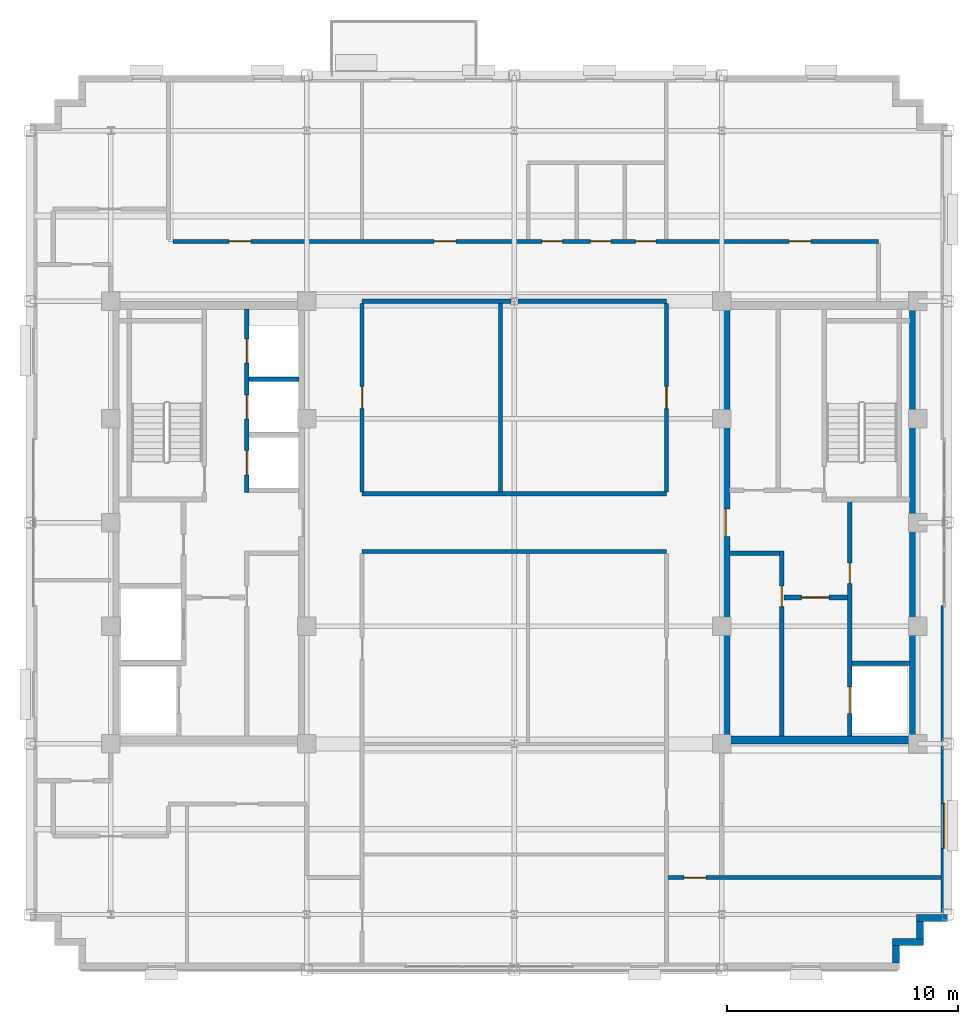
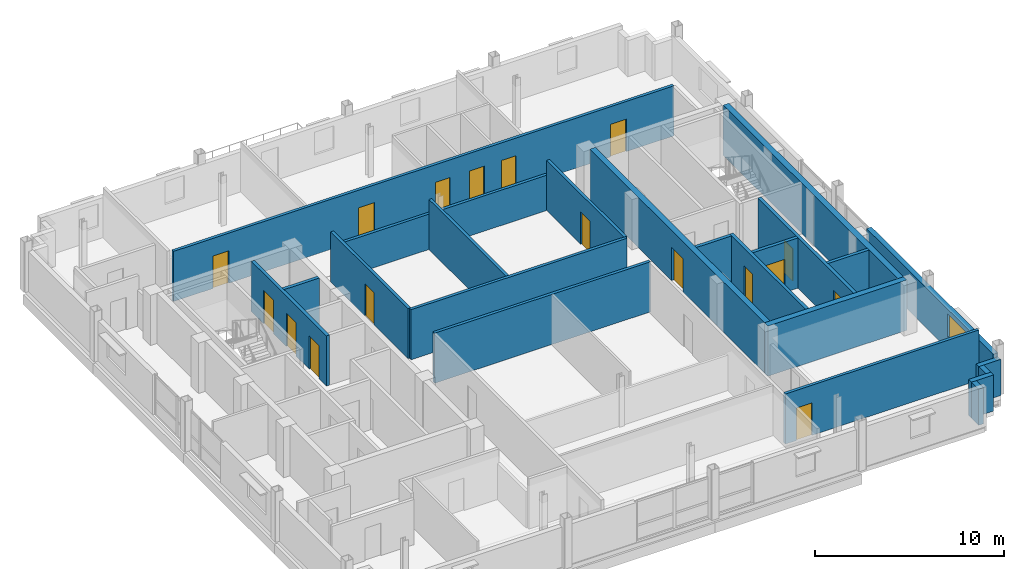
# One storey, part 7 of 16: 24 walls, 17 doors, 1 window, 18 openings.
"""IFC4 building model written with IfcOpenShell, lengths in metres."""

import ifcopenshell
import ifcopenshell.guid

model = None  # the IFC model being written
_history = None  # IfcOwnerHistory: only IFC2X3 demands one
_inside = {}  # id of a spatial element -> (the spatial element, [elements in it])
_under = {}  # id of a project, library or spatial element -> (it, [spatial elements below it])
_declared = {}  # id of a project -> (the project, [libraries it declares])
_typed = {}  # id of a type object -> (the type object, [elements of that type])
_made_of = {}  # id of a material, layer set ... -> (it, [elements and type objects made of it])


def new_model(schema):
    """Start an empty IFC model of exactly this schema.

    Asked for "IFC4X3", IfcOpenShell would pick the latest addendum, in which some entities
    have other attributes; the version numbers below select the first issue.
    IFC2X3 requires an IfcOwnerHistory on every rooted entity: one is made here for all.
    """
    global model, _history
    if schema == "IFC4X3":
        model = ifcopenshell.file(schema_version=(4, 3, 0, 0))
    else:
        model = ifcopenshell.file(schema=schema)
    _inside.clear()
    _under.clear()
    _declared.clear()
    _typed.clear()
    _made_of.clear()
    _history = None
    if model.schema == "IFC2X3":
        org = make("IfcOrganization", Name="unknown")
        user = make(
            "IfcPersonAndOrganization",
            ThePerson=make("IfcPerson", FamilyName="unknown"),
            TheOrganization=org,
        )
        app = make(
            "IfcApplication",
            ApplicationDeveloper=org,
            Version="unknown",
            ApplicationFullName="unknown",
            ApplicationIdentifier="unknown",
        )
        _history = make(
            "IfcOwnerHistory",
            OwningUser=user,
            OwningApplication=app,
            ChangeAction="ADDED",
            CreationDate=0,
        )
    return model


def make(cls, **values):
    """One entity of the class cls with the attributes given. An attribute that is None is left unset."""
    return model.create_entity(
        cls, **{name: value for name, value in values.items() if value is not None}
    )


def rooted(cls, **values):
    """An entity with a GlobalId (a new one), such as an element, a storey or a relation."""
    return make(cls, GlobalId=ifcopenshell.guid.new(), OwnerHistory=_history, **values)


def si_unit(unit_type, name, prefix=None):
    """IfcSIUnit, for example si_unit("LENGTHUNIT", "METRE", prefix="MILLI")."""
    return make("IfcSIUnit", UnitType=unit_type, Prefix=prefix, Name=name)


def assignment(units):
    """IfcUnitAssignment: the units of a project."""
    return None if units is None else make("IfcUnitAssignment", Units=units)


def point(xyz):
    """IfcCartesianPoint."""
    return None if xyz is None else make("IfcCartesianPoint", Coordinates=xyz)


def direction(xyz):
    """IfcDirection."""
    return None if xyz is None else make("IfcDirection", DirectionRatios=xyz)


def frame(location, z_axis=None, x_axis=None):
    """IfcAxis2Placement3D, a coordinate frame: its origin and axes. An axis left out is left unset."""
    return make(
        "IfcAxis2Placement3D",
        Location=point(location),
        Axis=direction(z_axis),
        RefDirection=direction(x_axis),
    )


def frame_2d(location, x_axis=None):
    """IfcAxis2Placement2D, a coordinate frame in the plane: its origin and x axis."""
    return make(
        "IfcAxis2Placement2D", Location=point(location), RefDirection=direction(x_axis)
    )


def origin():
    """The frame at (0, 0, 0) with its axes left unset."""
    return frame((0.0, 0.0, 0.0))


def place(relative_to, where):
    """IfcLocalPlacement: puts the frame where relative to a parent placement (None: the world)."""
    return make(
        "IfcLocalPlacement", PlacementRelTo=relative_to, RelativePlacement=where
    )


def context(
    kind, dimensions, precision=None, world=None, true_north=None, identifier=None
):
    """IfcGeometricRepresentationContext, for example the 3D "Model" context."""
    return make(
        "IfcGeometricRepresentationContext",
        ContextIdentifier=identifier,
        ContextType=kind,
        CoordinateSpaceDimension=dimensions,
        Precision=precision,
        WorldCoordinateSystem=world,
        TrueNorth=true_north,
    )


def subcontext(parent, identifier, kind, view, scale=None):
    """IfcGeometricRepresentationSubContext, for example "Body" below "Model"."""
    return make(
        "IfcGeometricRepresentationSubContext",
        ContextIdentifier=identifier,
        ContextType=kind,
        ParentContext=parent,
        TargetScale=scale,
        TargetView=view,
    )


def project(units=None, contexts=None):
    """IfcProject with its units and contexts."""
    return rooted(
        "IfcProject",
        Name="project",
        RepresentationContexts=contexts,
        UnitsInContext=assignment(units),
    )


def spatial(cls, under=None, at=None, **own):
    """A site, building, storey or space (cls), placed at a placement, below another one or the project."""
    s = rooted(cls, ObjectPlacement=at, **own)
    if under is not None:
        _under.setdefault(under.id(), (under, []))[1].append(s)
    return s


def profile(cls, at=None, kind="AREA", **sizes):
    """A parametric profile (cls). Its sizes go by their IFC names, for example OverallWidth=200.0."""
    return make(cls, ProfileType=kind, Position=at, **sizes)


def rectangle(**sizes):
    """IfcRectangleProfileDef."""
    return profile("IfcRectangleProfileDef", **sizes)


def extrude(swept, where, along, depth):
    """IfcExtrudedAreaSolid: the profile swept, set in the frame where, extruded along a direction by depth."""
    return make(
        "IfcExtrudedAreaSolid",
        SweptArea=swept,
        Position=where,
        ExtrudedDirection=direction(along),
        Depth=depth,
    )


def shape(context_of_items, identifier, shape_type, items):
    """IfcShapeRepresentation: the items that make up one representation, for example the "Body"."""
    return make(
        "IfcShapeRepresentation",
        ContextOfItems=context_of_items,
        RepresentationIdentifier=identifier,
        RepresentationType=shape_type,
        Items=items,
    )


def source(mapping_origin, context_of_items, identifier, shape_type, items):
    """IfcRepresentationMap: a shape defined once, which mapped items show again and again."""
    return make(
        "IfcRepresentationMap",
        MappingOrigin=mapping_origin,
        MappedRepresentation=shape(context_of_items, identifier, shape_type, items),
    )


def transform(
    local_origin,
    x_axis=None,
    y_axis=None,
    z_axis=None,
    scale=None,
    scale2=None,
    scale3=None,
    uniform=True,
):
    """IfcCartesianTransformationOperator3D, or its non-uniform kind. x_axis, y_axis, z_axis: its Axis1, 2, 3."""
    if uniform:
        return make(
            "IfcCartesianTransformationOperator3D",
            Axis1=direction(x_axis),
            Axis2=direction(y_axis),
            LocalOrigin=point(local_origin),
            Scale=scale,
            Axis3=direction(z_axis),
        )
    return make(
        "IfcCartesianTransformationOperator3DnonUniform",
        Axis1=direction(x_axis),
        Axis2=direction(y_axis),
        LocalOrigin=point(local_origin),
        Scale=scale,
        Axis3=direction(z_axis),
        Scale2=scale2,
        Scale3=scale3,
    )


def mapped(mapping_source, mapping_target):
    """IfcMappedItem: shows the shape of a source again, moved by a transform."""
    return make(
        "IfcMappedItem", MappingSource=mapping_source, MappingTarget=mapping_target
    )


def material(Name=None, Category=None):
    """IfcMaterial."""
    return make("IfcMaterial", Name=Name, Category=Category)


def layer(
    of_material, thickness, ventilated=None, Name=None, Category=None, Priority=None
):
    """IfcMaterialLayer: one layer of a wall or slab, of a material (None: an air gap)."""
    return make(
        "IfcMaterialLayer",
        Material=of_material,
        LayerThickness=thickness,
        IsVentilated=ventilated,
        Name=Name,
        Category=Category,
        Priority=Priority,
    )


def layer_set(layers, Name=None):
    """IfcMaterialLayerSet."""
    return make("IfcMaterialLayerSet", MaterialLayers=layers, LayerSetName=Name)


def made_of(thing, what):
    """Note that an element or type object is made of a material, layer set ...; save() writes the relation."""
    if what is not None:
        _made_of.setdefault(what.id(), (what, []))[1].append(thing)
    return thing


def type_object(cls, material=None, **own):
    """A type object (cls), such as IfcWallType, which elements share."""
    return made_of(rooted(cls, **own), material)


def type_shapes(of_type, sources):
    """Give a type object the sources (RepresentationMaps) that its elements show as mapped items."""
    of_type.RepresentationMaps = sources


def element(
    cls,
    number,
    at=None,
    inside=None,
    cuts=None,
    type_object=None,
    material=None,
    context=None,
    identifier="Body",
    shape_type=None,
    held_by="IfcProductDefinitionShape",
    body=None,
    shapes=None,
    **own,
):
    """One element of the class cls, such as IfcWall. Its Tag is "e" and its number.

    at: its placement. inside: the storey or other place that contains it. cuts: it is an
    opening in that element (IfcRelVoidsElement). A single representation is given by context,
    identifier, shape_type and body (its items); several are given by shapes. held_by: the class
    of the entity that holds the representations. save() writes the other relations.
    """
    e = rooted(cls, Tag="e%d" % number, ObjectPlacement=at, **own)
    if body is not None:
        shapes = [shape(context, identifier, shape_type, body)]
    if shapes is not None:
        e.Representation = make(held_by, Representations=shapes)
    if inside is not None:
        _inside.setdefault(inside.id(), (inside, []))[1].append(e)
    if cuts is not None:
        rooted(
            "IfcRelVoidsElement", RelatingBuildingElement=cuts, RelatedOpeningElement=e
        )
    if type_object is not None:
        _typed.setdefault(type_object.id(), (type_object, []))[1].append(e)
    return made_of(e, material)


def fill(opening, filler):
    """IfcRelFillsElement: the door or window that sits in an opening."""
    return rooted(
        "IfcRelFillsElement",
        RelatingOpeningElement=opening,
        RelatedBuildingElement=filler,
    )


def aggregate(whole, parts):
    """IfcRelAggregates: a whole, such as a stair, and the parts it consists of."""
    return rooted("IfcRelAggregates", RelatingObject=whole, RelatedObjects=parts)


def save(model, path):
    """Write the relations noted so far, then the file.

    IfcRelAggregates (storeys below a building ...), IfcRelContainedInSpatialStructure (elements
    in a storey), IfcRelDefinesByType, IfcRelAssociatesMaterial and IfcRelDeclares: one each for
    every whole, place, type object, material and project.
    """
    for whole, parts in _under.values():
        aggregate(whole, parts)
    for where, things in _inside.values():
        rooted(
            "IfcRelContainedInSpatialStructure",
            RelatedElements=things,
            RelatingStructure=where,
        )
    for kind, things in _typed.values():
        rooted("IfcRelDefinesByType", RelatedObjects=things, RelatingType=kind)
    for what, things in _made_of.values():
        rooted("IfcRelAssociatesMaterial", RelatedObjects=things, RelatingMaterial=what)
    for by, libraries in _declared.values():
        rooted("IfcRelDeclares", RelatingContext=by, RelatedDefinitions=libraries)
    model.write(path)


model = new_model("IFC4")

# Units and contexts
model_context = context("Model", 3, precision=1e-05, world=origin(), true_north=direction((0.0, 1.0)))
body_context = subcontext(model_context, "Body", "Model", "MODEL_VIEW")
ifc_project = project(units=[si_unit("LENGTHUNIT", "METRE"), si_unit("AREAUNIT", "SQUARE_METRE"), si_unit("VOLUMEUNIT", "CUBIC_METRE"), si_unit("PLANEANGLEUNIT", "RADIAN"), si_unit("MASSUNIT", "GRAM", prefix="KILO")], contexts=[model_context])

# Site, building, storey
site_placement = place(None, origin())
site = spatial("IfcSite", under=ifc_project, at=site_placement, CompositionType="ELEMENT")
building_placement = place(site_placement, origin())
building = spatial("IfcBuilding", under=site, at=building_placement, Name="Nuvemarco Arch Tower", CompositionType="ELEMENT")
storey_placement = place(building_placement, frame((0.0, 0.0, 249.300048828125)))
storey = spatial("IfcBuildingStorey", under=building, at=storey_placement, Name="L66", CompositionType="ELEMENT", Elevation=249.300048828125)

# Walls
ifc_material_1 = material(Name="Precast concrete C45/55", Category="concrete")
ifc_layer_1 = layer(ifc_material_1, 0.300048828125, Name="EW-HIGH-300")
ifc_layer_set_1 = layer_set([ifc_layer_1], Name="Precast concrete C45/55")
wall_type_1 = type_object("IfcWallType", Name="EW-HIGH-300", PredefinedType="STANDARD", material=ifc_layer_set_1)
wall_1_placement = place(storey_placement, frame((16.550048828125, -19.10400390625, 0.0), z_axis=(0.0, 0.0, 1.0), x_axis=(0.0, 1.0, 0.0)))
element("IfcWall", 1, at=wall_1_placement, inside=storey, type_object=wall_type_1, Name="L66 exterior precast facade wall 2", PredefinedType="STANDARD", context=body_context, shape_type="SweptSolid", body=[
    extrude(rectangle(XDim=0.758056640625, YDim=0.300048828125, at=frame_2d((0.37890625, 0.0))), origin(), (0.0, 0.0, 1.0), 2.3349609375),
])
wall_2_placement = place(storey_placement, frame((16.39990234375, -18.199951171875, 0.0), z_axis=(0.0, 0.0, 1.0), x_axis=(1.0, 0.0, 0.0)))
element("IfcWall", 2, at=wall_2_placement, inside=storey, type_object=wall_type_1, Name="L66 exterior precast facade wall 3", PredefinedType="STANDARD", context=body_context, shape_type="SweptSolid", body=[
    extrude(rectangle(XDim=1.35009765625, YDim=0.300048828125, at=frame_2d((0.675048828125, 0.0))), origin(), (0.0, 0.0, 1.0), 2.3349609375),
])
wall_3_placement = place(storey_placement, frame((17.60009765625, -18.053955078125, 0.0), z_axis=(0.0, 0.0, 1.0), x_axis=(0.0, 1.0, 0.0)))
element("IfcWall", 3, at=wall_3_placement, inside=storey, type_object=wall_type_1, Name="L66 exterior precast facade wall 4", PredefinedType="STANDARD", context=body_context, shape_type="SweptSolid", body=[
    extrude(rectangle(XDim=0.758056640625, YDim=0.300048828125, at=frame_2d((0.37890625, 0.0))), origin(), (0.0, 0.0, 1.0), 2.3349609375),
])
wall_4_placement = place(storey_placement, frame((17.449951171875, -17.14990234375, 0.0), z_axis=(0.0, 0.0, 1.0), x_axis=(1.0, 0.0, 0.0)))
element("IfcWall", 4, at=wall_4_placement, inside=storey, type_object=wall_type_1, Name="L66 exterior precast facade wall 5", PredefinedType="STANDARD", context=body_context, shape_type="SweptSolid", body=[
    extrude(rectangle(XDim=1.35009765625, YDim=0.300048828125, at=frame_2d((0.675048828125, 0.0))), origin(), (0.0, 0.0, 1.0), 2.3349609375),
])

# Wall, opening, window
wall_5_placement = place(storey_placement, frame((18.64990234375, -17.00390625, 0.0), z_axis=(0.0, 0.0, 1.0), x_axis=(0.0, 1.0, 0.0)))
wall_5 = element("IfcWall", 5, at=wall_5_placement, inside=storey, type_object=wall_type_1, Name="L66 exterior precast pier wall east left", PredefinedType="STANDARD", context=body_context, shape_type="SweptSolid", body=[
    extrude(rectangle(XDim=13.40380859375, YDim=0.300048828125, at=frame_2d((6.701904296875, 0.0))), origin(), (0.0, 0.0, 1.0), 2.5849609375),
])
opening_1_placement = place(wall_5_placement, frame((2.8759765625, 0.0, 0.800048828125)))
opening_1 = element("IfcOpeningElement", 6, at=opening_1_placement, cuts=wall_5, Name="Opening WN-7", PredefinedType="OPENING", context=body_context, shape_type="SweptSolid", body=[
    extrude(rectangle(XDim=1.949951171875, YDim=1.47998046875, at=frame_2d((0.97509765625, 0.739990234375))), frame((0.0, 0.159912109375, 0.0), z_axis=(0.0, -1.0, 0.0), x_axis=(1.0, 0.0, 0.0)), (0.0, 0.0, 1.0), 0.320068359375),
])
ifc_material_2 = material(Name="Insulated solar-control glass", Category="glass")
window_type = type_object("IfcWindowType", Name="WN-HIGH-1950x1480", PartitioningType="DOUBLE_PANEL_VERTICAL", PredefinedType="WINDOW", material=ifc_material_2)
shared_shape_1 = source(origin(), body_context, "Body", "SweptSolid", [
    extrude(rectangle(XDim=1.949951171875, YDim=1.47998046875, at=frame_2d((0.97509765625, 0.739990234375))), frame((0.0, 0.030029296875, 0.0), z_axis=(0.0, -1.0, 0.0), x_axis=(1.0, 0.0, 0.0)), (0.0, 0.0, 1.0), 0.06005859375),
])
type_shapes(window_type, [shared_shape_1])
window_placement = place(opening_1_placement, origin())
window = element("IfcWindow", 7, at=window_placement, inside=storey, type_object=window_type, Name="L66 punched facade window 1", OverallHeight=1.47998046875, OverallWidth=1.949951171875, PartitioningType="SINGLE_PANEL", PredefinedType="WINDOW", context=body_context, shape_type="MappedRepresentation", body=[
    mapped(shared_shape_1, transform((0.0, 0.0, 0.0), scale=1.0)),
])
fill(opening_1, window)

# Wall
ifc_material_3 = material(Name="Concrete C50/60", Category="concrete")
ifc_layer_2 = layer(ifc_material_3, 0.35009765625, Name="WL-CORE-350")
ifc_layer_set_2 = layer_set([ifc_layer_2], Name="Concrete C50/60")
wall_type_2 = type_object("IfcWallType", Name="WL-CORE-350", PredefinedType="SHEAR", material=ifc_layer_set_2)
wall_6_placement = place(storey_placement, frame((9.0, -9.425048828125, 0.0), z_axis=(0.0, 0.0, 1.0), x_axis=(1.0, 0.0, 0.0)))
element("IfcWall", 8, at=wall_6_placement, inside=storey, type_object=wall_type_2, Name="L66 E-core shear wall S", PredefinedType="SHEAR", context=body_context, shape_type="SweptSolid", body=[
    extrude(rectangle(XDim=8.5, YDim=0.35009765625, at=frame_2d((4.25, 0.0))), origin(), (0.0, 0.0, 1.0), 3.25),
])

# Wall, opening, door
wall_7_placement = place(storey_placement, frame((9.175048828125, -9.2548828125, 0.0), z_axis=(0.0, 0.0, 1.0), x_axis=(0.0, 1.0, 0.0)))
wall_7 = element("IfcWall", 9, at=wall_7_placement, inside=storey, type_object=wall_type_2, Name="L66 E-core shear wall W", PredefinedType="SHEAR", context=body_context, shape_type="SweptSolid", body=[
    extrude(rectangle(XDim=18.509765625, YDim=0.35009765625, at=frame_2d((9.2548828125, 0.0))), origin(), (0.0, 0.0, 1.0), 3.25),
])
opening_2_placement = place(wall_7_placement, frame((8.655029296875, 0.0, 0.0)))
opening_2 = element("IfcOpeningElement", 10, at=opening_2_placement, cuts=wall_7, Name="Opening FD-2", PredefinedType="OPENING", context=body_context, shape_type="SweptSolid", body=[
    extrude(rectangle(XDim=1.199951171875, YDim=2.14990234375, at=frame_2d((0.60009765625, 1.074951171875))), frame((0.0, 0.18505859375, 0.0), z_axis=(0.0, -1.0, 0.0), x_axis=(1.0, 0.0, 0.0)), (0.0, 0.0, 1.0), 0.3701171875),
])
ifc_material_4 = material(Name="Anodised steel fire door", Category="steel")
door_type_1 = type_object("IfcDoorType", Name="DR-FFLOB-FD", OperationType="NOTDEFINED", PredefinedType="DOOR", material=ifc_material_4)
shared_shape_2 = source(origin(), body_context, "Body", "SweptSolid", [
    extrude(rectangle(XDim=1.199951171875, YDim=2.14990234375, at=frame_2d((0.60009765625, 1.074951171875))), frame((0.0, 0.02490234375, 0.0), z_axis=(0.0, -1.0, 0.0), x_axis=(1.0, 0.0, 0.0)), (0.0, 0.0, 1.0), 0.050048828125),
])
type_shapes(door_type_1, [shared_shape_2])
door_1_placement = place(opening_2_placement, origin())
door_1 = element("IfcDoor", 11, at=door_1_placement, inside=storey, type_object=door_type_1, Name="L66 door FD-L66-ECORE-W", OperationType="SINGLE_SWING_RIGHT", OverallHeight=2.14990234375, OverallWidth=1.199951171875, PredefinedType="DOOR", context=body_context, shape_type="MappedRepresentation", body=[
    mapped(shared_shape_2, transform((0.0, 0.0, 0.0), scale=1.0)),
])
fill(opening_2, door_1)

# Wall
wall_8_placement = place(storey_placement, frame((17.324951171875, -9.2548828125, 0.0), z_axis=(0.0, 0.0, 1.0), x_axis=(0.0, 1.0, 0.0)))
element("IfcWall", 12, at=wall_8_placement, inside=storey, type_object=wall_type_2, Name="L66 E-core shear wall E", PredefinedType="SHEAR", context=body_context, shape_type="SweptSolid", body=[
    extrude(rectangle(XDim=18.509765625, YDim=0.35009765625, at=frame_2d((9.2548828125, 0.0))), origin(), (0.0, 0.0, 1.0), 3.25),
])

# Wall, opening, door
ifc_material_5 = material(Name="Fire-rated gypsum drywall partition")
ifc_layer_3 = layer(ifc_material_5, 0.179931640625, Name="WL-CORR-180")
ifc_layer_set_3 = layer_set([ifc_layer_3], Name="Fire-rated gypsum drywall partition")
wall_type_3 = type_object("IfcWallType", Name="WL-CORR-180", PredefinedType="PARTITIONING", material=ifc_layer_set_3)
wall_9_placement = place(storey_placement, frame((6.666015625, -15.39990234375, 0.0), z_axis=(0.0, 0.0, 1.0), x_axis=(1.0, 0.0, 0.0)))
wall_9 = element("IfcWall", 13, at=wall_9_placement, inside=storey, type_object=wall_type_3, Name="L66 interior wall IW-L66-002", PredefinedType="PARTITIONING", context=body_context, shape_type="SweptSolid", body=[
    extrude(rectangle(XDim=11.833984375, YDim=0.179931640625, at=frame_2d((5.9169921875, 0.0))), origin(), (0.0, 0.0, 1.0), 3.239990234375),
])
opening_3_placement = place(wall_9_placement, frame((0.68701171875, 0.0, 0.0)))
opening_3 = element("IfcOpeningElement", 14, at=opening_3_placement, cuts=wall_9, Name="Opening FD-5", PredefinedType="OPENING", context=body_context, shape_type="SweptSolid", body=[
    extrude(rectangle(XDim=0.9599609375, YDim=2.10009765625, at=frame_2d((0.47998046875, 1.050048828125))), frame((0.0, 0.099853515625, 0.0), z_axis=(0.0, -1.0, 0.0), x_axis=(1.0, 0.0, 0.0)), (0.0, 0.0, 1.0), 0.199951171875),
])
ifc_material_6 = material(Name="Timber fire door", Category="wood")
door_type_2 = type_object("IfcDoorType", Name="DR-CORR-FD", OperationType="NOTDEFINED", PredefinedType="DOOR", material=ifc_material_6)
shared_shape_3 = source(origin(), body_context, "Body", "SweptSolid", [
    extrude(rectangle(XDim=0.9599609375, YDim=2.10009765625, at=frame_2d((0.47998046875, 1.050048828125))), frame((0.0, 0.02490234375, 0.0), z_axis=(0.0, -1.0, 0.0), x_axis=(1.0, 0.0, 0.0)), (0.0, 0.0, 1.0), 0.050048828125),
])
type_shapes(door_type_2, [shared_shape_3])
door_2_placement = place(opening_3_placement, origin())
door_2 = element("IfcDoor", 15, at=door_2_placement, inside=storey, type_object=door_type_2, Name="L66 door DR-L66-S_6", OperationType="SINGLE_SWING_LEFT", OverallHeight=2.10009765625, OverallWidth=0.9599609375, PredefinedType="DOOR", context=body_context, shape_type="MappedRepresentation", body=[
    mapped(shared_shape_3, transform((0.0, 0.0, 0.0), scale=1.0)),
])
fill(opening_3, door_2)

# Walls
for number, where, z_axis, x_axis, name in (
    (16, (-6.60009765625, -1.25, 0.0), (0.0, 0.0, 1.0), (1.0, 0.0, 0.0), "L66 interior wall IW-L66-010"),
    (17, (-6.60009765625, 1.25, 0.0), (0.0, 0.0, 1.0), (1.0, 0.0, 0.0), "L66 interior wall IW-L66-011"),
):
    element("IfcWall", number, at=place(storey_placement, frame(where, z_axis=z_axis, x_axis=x_axis)), inside=storey, type_object=wall_type_3, Name=name, PredefinedType="PARTITIONING", context=body_context, shape_type="SweptSolid", body=[
        extrude(rectangle(XDim=13.2001953125, YDim=0.179931640625, at=frame_2d((6.60009765625, 0.0))), origin(), (0.0, 0.0, 1.0), 3.239990234375),
    ])
for number, where, z_axis, x_axis, name in (
    (18, (-6.60009765625, 9.60009765625, 0.0), (0.0, 0.0, 1.0), (1.0, 0.0, 0.0), "L66 interior wall IW-L66-012"),
    (19, (0.15087890625, 9.60009765625, 0.0), (0.0, 0.0, 1.0), (1.0, 0.0, 0.0), "L66 interior wall IW-L66-013"),
):
    element("IfcWall", number, at=place(storey_placement, frame(where, z_axis=z_axis, x_axis=x_axis)), inside=storey, type_object=wall_type_3, Name=name, PredefinedType="PARTITIONING", context=body_context, shape_type="SweptSolid", body=[
        extrude(rectangle(XDim=6.44921875, YDim=0.179931640625, at=frame_2d((3.224609375, 0.0))), origin(), (0.0, 0.0, 1.0), 2.284912109375),
    ])

# Wall, openings, doors
wall_10_placement = place(storey_placement, frame((-14.800048828125, 12.199951171875, 0.0), z_axis=(0.0, 0.0, 1.0), x_axis=(1.0, 0.0, 0.0)))
wall_10 = element("IfcWall", 20, at=wall_10_placement, inside=storey, type_object=wall_type_3, Name="L66 interior wall IW-L66-015", PredefinedType="PARTITIONING", context=body_context, shape_type="SweptSolid", body=[
    extrude(rectangle(XDim=30.60009765625, YDim=0.179931640625, at=frame_2d((15.300048828125, 0.0))), origin(), (0.0, 0.0, 1.0), 3.239990234375),
])
opening_4_placement = place(wall_10_placement, frame((11.320068359375, 0.0, 0.0)))
opening_4 = element("IfcOpeningElement", 21, at=opening_4_placement, cuts=wall_10, Name="Opening FD-5", PredefinedType="OPENING", context=body_context, shape_type="SweptSolid", body=[
    extrude(rectangle(XDim=0.9599609375, YDim=2.10009765625, at=frame_2d((0.47998046875, 1.050048828125))), frame((0.0, 0.099853515625, 0.0), z_axis=(0.0, -1.0, 0.0), x_axis=(1.0, 0.0, 0.0)), (0.0, 0.0, 1.0), 0.199951171875),
])
opening_5_placement = place(wall_10_placement, frame((26.719970703125, 0.0, 0.0)))
opening_5 = element("IfcOpeningElement", 22, at=opening_5_placement, cuts=wall_10, Name="Opening FD-5", PredefinedType="OPENING", context=body_context, shape_type="SweptSolid", body=[
    extrude(rectangle(XDim=0.9599609375, YDim=2.10009765625, at=frame_2d((0.47998046875, 1.050048828125))), frame((0.0, 0.099853515625, 0.0), z_axis=(0.0, -1.0, 0.0), x_axis=(1.0, 0.0, 0.0)), (0.0, 0.0, 1.0), 0.199951171875),
])
opening_6_placement = place(wall_10_placement, frame((2.419921875, 0.0, 0.0)))
opening_6 = element("IfcOpeningElement", 23, at=opening_6_placement, cuts=wall_10, Name="Opening FD-5", PredefinedType="OPENING", context=body_context, shape_type="SweptSolid", body=[
    extrude(rectangle(XDim=0.9599609375, YDim=2.10009765625, at=frame_2d((0.47998046875, 1.050048828125))), frame((0.0, 0.099853515625, 0.0), z_axis=(0.0, -1.0, 0.0), x_axis=(1.0, 0.0, 0.0)), (0.0, 0.0, 1.0), 0.199951171875),
])
opening_7_placement = place(wall_10_placement, frame((16.0, 0.0, 0.0)))
opening_7 = element("IfcOpeningElement", 24, at=opening_7_placement, cuts=wall_10, Name="Opening ID-3", PredefinedType="OPENING", context=body_context, shape_type="SweptSolid", body=[
    extrude(rectangle(XDim=0.89990234375, YDim=2.10009765625, at=frame_2d((0.449951171875, 1.050048828125))), frame((0.0, 0.099853515625, 0.0), z_axis=(0.0, -1.0, 0.0), x_axis=(1.0, 0.0, 0.0)), (0.0, 0.0, 1.0), 0.199951171875),
])
opening_8_placement = place(wall_10_placement, frame((18.10009765625, 0.0, 0.0)))
opening_8 = element("IfcOpeningElement", 25, at=opening_8_placement, cuts=wall_10, Name="Opening ID-3", PredefinedType="OPENING", context=body_context, shape_type="SweptSolid", body=[
    extrude(rectangle(XDim=0.89990234375, YDim=2.10009765625, at=frame_2d((0.449951171875, 1.050048828125))), frame((0.0, 0.099853515625, 0.0), z_axis=(0.0, -1.0, 0.0), x_axis=(1.0, 0.0, 0.0)), (0.0, 0.0, 1.0), 0.199951171875),
])
opening_9_placement = place(wall_10_placement, frame((20.050048828125, 0.0, 0.0)))
opening_9 = element("IfcOpeningElement", 26, at=opening_9_placement, cuts=wall_10, Name="Opening ID-3", PredefinedType="OPENING", context=body_context, shape_type="SweptSolid", body=[
    extrude(rectangle(XDim=0.89990234375, YDim=2.10009765625, at=frame_2d((0.449951171875, 1.050048828125))), frame((0.0, 0.099853515625, 0.0), z_axis=(0.0, -1.0, 0.0), x_axis=(1.0, 0.0, 0.0)), (0.0, 0.0, 1.0), 0.199951171875),
])
door_3_placement = place(opening_4_placement, origin())
door_3 = element("IfcDoor", 27, at=door_3_placement, inside=storey, type_object=door_type_2, Name="L66 door DR-L66-N_3", OperationType="SINGLE_SWING_LEFT", OverallHeight=2.10009765625, OverallWidth=0.9599609375, PredefinedType="DOOR", context=body_context, shape_type="MappedRepresentation", body=[
    mapped(shared_shape_3, transform((0.0, 0.0, 0.0), scale=1.0)),
])
fill(opening_4, door_3)
door_4_placement = place(opening_5_placement, origin())
door_4 = element("IfcDoor", 28, at=door_4_placement, inside=storey, type_object=door_type_2, Name="L66 door DR-L66-N_4", OperationType="SINGLE_SWING_RIGHT", OverallHeight=2.10009765625, OverallWidth=0.9599609375, PredefinedType="DOOR", context=body_context, shape_type="MappedRepresentation", body=[
    mapped(shared_shape_3, transform((0.0, 0.0, 0.0), scale=1.0)),
])
fill(opening_5, door_4)
door_5_placement = place(opening_6_placement, origin())
door_5 = element("IfcDoor", 29, at=door_5_placement, inside=storey, type_object=door_type_2, Name="L66 door DR-L66-N_2", OperationType="SINGLE_SWING_LEFT", OverallHeight=2.10009765625, OverallWidth=0.9599609375, PredefinedType="DOOR", context=body_context, shape_type="MappedRepresentation", body=[
    mapped(shared_shape_3, transform((0.0, 0.0, 0.0), scale=1.0)),
])
fill(opening_6, door_5)
ifc_material_7 = material(Name="Veneered oak timber fire door", Category="wood")
door_type_3 = type_object("IfcDoorType", Name="DR-WC-ACC", OperationType="NOTDEFINED", PredefinedType="DOOR", material=ifc_material_7)
shared_shape_4 = source(origin(), body_context, "Body", "SweptSolid", [
    extrude(rectangle(XDim=0.89990234375, YDim=2.10009765625, at=frame_2d((0.449951171875, 1.050048828125))), frame((0.0, 0.02490234375, 0.0), z_axis=(0.0, -1.0, 0.0), x_axis=(1.0, 0.0, 0.0)), (0.0, 0.0, 1.0), 0.050048828125),
])
type_shapes(door_type_3, [shared_shape_4])
door_6_placement = place(opening_7_placement, origin())
door_6 = element("IfcDoor", 30, at=door_6_placement, inside=storey, type_object=door_type_3, Name="L66 door DR-L66-WC_M", OperationType="SINGLE_SWING_RIGHT", OverallHeight=2.10009765625, OverallWidth=0.89990234375, PredefinedType="DOOR", context=body_context, shape_type="MappedRepresentation", body=[
    mapped(shared_shape_4, transform((0.0, 0.0, 0.0), scale=1.0)),
])
fill(opening_7, door_6)
door_7_placement = place(opening_8_placement, origin())
door_7 = element("IfcDoor", 31, at=door_7_placement, inside=storey, type_object=door_type_3, Name="L66 door DR-L66-WC_F", OperationType="SINGLE_SWING_LEFT", OverallHeight=2.10009765625, OverallWidth=0.89990234375, PredefinedType="DOOR", context=body_context, shape_type="MappedRepresentation", body=[
    mapped(shared_shape_4, transform((0.0, 0.0, 0.0), scale=1.0)),
])
fill(opening_8, door_7)
door_8_placement = place(opening_9_placement, origin())
door_8 = element("IfcDoor", 32, at=door_8_placement, inside=storey, type_object=door_type_3, Name="L66 door DR-L66-WC_ACC", OperationType="SINGLE_SWING_RIGHT", OverallHeight=2.10009765625, OverallWidth=0.89990234375, PredefinedType="DOOR", context=body_context, shape_type="MappedRepresentation", body=[
    mapped(shared_shape_4, transform((0.0, 0.0, 0.0), scale=1.0)),
])
fill(opening_9, door_8)

# Wall, opening, door
wall_11_placement = place(storey_placement, frame((-6.60009765625, 1.3359375, 0.0), z_axis=(0.0, 0.0, 1.0), x_axis=(0.0, 1.0, 0.0)))
wall_11 = element("IfcWall", 33, at=wall_11_placement, inside=storey, type_object=wall_type_3, Name="L66 interior wall IW-L66-027", PredefinedType="PARTITIONING", context=body_context, shape_type="SweptSolid", body=[
    extrude(rectangle(XDim=8.177978515625, YDim=0.179931640625, at=frame_2d((4.0888671875, 0.0))), origin(), (0.0, 0.0, 1.0), 3.239990234375),
])
opening_10_placement = place(wall_11_placement, frame((3.60888671875, 0.0, 0.0)))
opening_10 = element("IfcOpeningElement", 34, at=opening_10_placement, cuts=wall_11, Name="Opening FD-5", PredefinedType="OPENING", context=body_context, shape_type="SweptSolid", body=[
    extrude(rectangle(XDim=0.9599609375, YDim=2.10009765625, at=frame_2d((0.47998046875, 1.050048828125))), frame((0.0, 0.099853515625, 0.0), z_axis=(0.0, -1.0, 0.0), x_axis=(1.0, 0.0, 0.0)), (0.0, 0.0, 1.0), 0.199951171875),
])
door_9_placement = place(opening_10_placement, origin())
door_9 = element("IfcDoor", 35, at=door_9_placement, inside=storey, type_object=door_type_2, Name="L66 door DR-L66-C_N1", OperationType="SINGLE_SWING_LEFT", OverallHeight=2.10009765625, OverallWidth=0.9599609375, PredefinedType="DOOR", context=body_context, shape_type="MappedRepresentation", body=[
    mapped(shared_shape_3, transform((0.0, 0.0, 0.0), scale=1.0)),
])
fill(opening_10, door_9)

# Wall
wall_12_placement = place(storey_placement, frame((-0.60009765625, 1.3359375, 0.0), z_axis=(0.0, 0.0, 1.0), x_axis=(0.0, 1.0, 0.0)))
element("IfcWall", 36, at=wall_12_placement, inside=storey, type_object=wall_type_3, Name="L66 interior wall IW-L66-029", PredefinedType="PARTITIONING", context=body_context, shape_type="SweptSolid", body=[
    extrude(rectangle(XDim=8.177978515625, YDim=0.179931640625, at=frame_2d((4.0888671875, 0.0))), origin(), (0.0, 0.0, 1.0), 3.239990234375),
])

# Wall, opening, door
wall_13_placement = place(storey_placement, frame((6.60009765625, 1.3359375, 0.0), z_axis=(0.0, 0.0, 1.0), x_axis=(0.0, 1.0, 0.0)))
wall_13 = element("IfcWall", 37, at=wall_13_placement, inside=storey, type_object=wall_type_3, Name="L66 interior wall IW-L66-035", PredefinedType="PARTITIONING", context=body_context, shape_type="SweptSolid", body=[
    extrude(rectangle(XDim=8.177978515625, YDim=0.179931640625, at=frame_2d((4.0888671875, 0.0))), origin(), (0.0, 0.0, 1.0), 3.239990234375),
])
opening_11_placement = place(wall_13_placement, frame((3.60888671875, 0.0, 0.0)))
opening_11 = element("IfcOpeningElement", 38, at=opening_11_placement, cuts=wall_13, Name="Opening FD-5", PredefinedType="OPENING", context=body_context, shape_type="SweptSolid", body=[
    extrude(rectangle(XDim=0.9599609375, YDim=2.10009765625, at=frame_2d((0.47998046875, 1.050048828125))), frame((0.0, 0.099853515625, 0.0), z_axis=(0.0, -1.0, 0.0), x_axis=(1.0, 0.0, 0.0)), (0.0, 0.0, 1.0), 0.199951171875),
])
door_10_placement = place(opening_11_placement, origin())
door_10 = element("IfcDoor", 39, at=door_10_placement, inside=storey, type_object=door_type_2, Name="L66 door DR-L66-C_N2", OperationType="SINGLE_SWING_RIGHT", OverallHeight=2.10009765625, OverallWidth=0.9599609375, PredefinedType="DOOR", context=body_context, shape_type="MappedRepresentation", body=[
    mapped(shared_shape_3, transform((0.0, 0.0, 0.0), scale=1.0)),
])
fill(opening_11, door_10)

# Wall, openings, doors
ifc_layer_4 = layer(ifc_material_3, 0.199951171875, Name="WL-SHAFT-220")
ifc_layer_set_4 = layer_set([ifc_layer_4], Name="Concrete C50/60")
wall_type_4 = type_object("IfcWallType", Name="WL-SHAFT-220", PredefinedType="SHEAR", material=ifc_layer_set_4)
wall_14_placement = place(storey_placement, frame((-11.60009765625, 1.300048828125, 0.0), z_axis=(0.0, 0.0, 1.0), x_axis=(0.0, 1.0, 0.0)))
wall_14 = element("IfcWall", 40, at=wall_14_placement, inside=storey, type_object=wall_type_4, Name="L66 structural shaft wall SW-L66-W-PHW", PredefinedType="SHEAR", context=body_context, shape_type="SweptSolid", body=[
    extrude(rectangle(XDim=7.954833984375, YDim=0.199951171875, at=frame_2d((3.9775390625, 0.0))), origin(), (0.0, 0.0, 1.0), 3.25),
])
opening_12_placement = place(wall_14_placement, frame((0.77490234375, 0.0, 0.0)))
opening_12 = element("IfcOpeningElement", 41, at=opening_12_placement, cuts=wall_14, Name="Opening LD-1", PredefinedType="OPENING", context=body_context, shape_type="SweptSolid", body=[
    extrude(rectangle(XDim=1.050048828125, YDim=2.14990234375, at=frame_2d((0.52490234375, 1.074951171875))), frame((0.0, 0.10986328125, 0.0), z_axis=(0.0, -1.0, 0.0), x_axis=(1.0, 0.0, 0.0)), (0.0, 0.0, 1.0), 0.219970703125),
])
opening_13_placement = place(wall_14_placement, frame((3.195068359375, 0.0, 0.0)))
opening_13 = element("IfcOpeningElement", 42, at=opening_13_placement, cuts=wall_14, Name="Opening LD-1", PredefinedType="OPENING", context=body_context, shape_type="SweptSolid", body=[
    extrude(rectangle(XDim=1.050048828125, YDim=2.14990234375, at=frame_2d((0.52490234375, 1.074951171875))), frame((0.0, 0.10986328125, 0.0), z_axis=(0.0, -1.0, 0.0), x_axis=(1.0, 0.0, 0.0)), (0.0, 0.0, 1.0), 0.219970703125),
])
opening_14_placement = place(wall_14_placement, frame((5.614990234375, 0.0, 0.0)))
opening_14 = element("IfcOpeningElement", 43, at=opening_14_placement, cuts=wall_14, Name="Opening LD-1", PredefinedType="OPENING", context=body_context, shape_type="SweptSolid", body=[
    extrude(rectangle(XDim=1.050048828125, YDim=2.14990234375, at=frame_2d((0.52490234375, 1.074951171875))), frame((0.0, 0.10986328125, 0.0), z_axis=(0.0, -1.0, 0.0), x_axis=(1.0, 0.0, 0.0)), (0.0, 0.0, 1.0), 0.219970703125),
])
ifc_material_8 = material(Name="Stainless steel lift door", Category="steel")
door_type_4 = type_object("IfcDoorType", Name="DR-LIFT-PASS", OperationType="DOUBLE_DOOR_SLIDING", PredefinedType="DOOR", material=ifc_material_8)
shared_shape_5 = source(origin(), body_context, "Body", "SweptSolid", [
    extrude(rectangle(XDim=1.050048828125, YDim=2.14990234375, at=frame_2d((0.52490234375, 1.074951171875))), frame((0.0, 0.02490234375, 0.0), z_axis=(0.0, -1.0, 0.0), x_axis=(1.0, 0.0, 0.0)), (0.0, 0.0, 1.0), 0.050048828125),
])
type_shapes(door_type_4, [shared_shape_5])
door_11_placement = place(opening_12_placement, origin())
door_11 = element("IfcDoor", 44, at=door_11_placement, inside=storey, type_object=door_type_4, Name="L66 Lift landing sliding door PH-1", OperationType="DOUBLE_DOOR_SLIDING", OverallHeight=2.14990234375, OverallWidth=1.050048828125, PredefinedType="DOOR", context=body_context, shape_type="MappedRepresentation", body=[
    mapped(shared_shape_5, transform((0.0, 0.0, 0.0), scale=1.0)),
])
fill(opening_12, door_11)
door_12_placement = place(opening_13_placement, origin())
door_12 = element("IfcDoor", 45, at=door_12_placement, inside=storey, type_object=door_type_4, Name="L66 Lift landing sliding door PH-2", OperationType="DOUBLE_DOOR_SLIDING", OverallHeight=2.14990234375, OverallWidth=1.050048828125, PredefinedType="DOOR", context=body_context, shape_type="MappedRepresentation", body=[
    mapped(shared_shape_5, transform((0.0, 0.0, 0.0), scale=1.0)),
])
fill(opening_13, door_12)
door_13_placement = place(opening_14_placement, origin())
door_13 = element("IfcDoor", 46, at=door_13_placement, inside=storey, type_object=door_type_4, Name="L66 Lift landing sliding door PH-3", OperationType="DOUBLE_DOOR_SLIDING", OverallHeight=2.14990234375, OverallWidth=1.050048828125, PredefinedType="DOOR", context=body_context, shape_type="MappedRepresentation", body=[
    mapped(shared_shape_5, transform((0.0, 0.0, 0.0), scale=1.0)),
])
fill(opening_14, door_13)

# Wall
wall_15_placement = place(storey_placement, frame((-11.5048828125, 6.219970703125, 0.0), z_axis=(0.0, 0.0, 1.0), x_axis=(1.0, 0.0, 0.0)))
element("IfcWall", 47, at=wall_15_placement, inside=storey, type_object=wall_type_4, Name="L66 structural shaft wall SW-L66-W-PHD3", PredefinedType="SHEAR", context=body_context, shape_type="SweptSolid", body=[
    extrude(rectangle(XDim=2.159912109375, YDim=0.199951171875, at=frame_2d((1.080078125, 0.0))), origin(), (0.0, 0.0, 1.0), 3.25),
])

# Wall, openings, doors
wall_16_placement = place(storey_placement, frame((14.550048828125, -9.2548828125, 0.0), z_axis=(0.0, 0.0, 1.0), x_axis=(0.0, 1.0, 0.0)))
wall_16 = element("IfcWall", 48, at=wall_16_placement, inside=storey, type_object=wall_type_4, Name="L66 structural shaft wall SW-L66-E-SHW", PredefinedType="SHEAR", context=body_context, shape_type="SweptSolid", body=[
    extrude(rectangle(XDim=10.159912109375, YDim=0.199951171875, at=frame_2d((5.080078125, 0.0))), origin(), (0.0, 0.0, 1.0), 3.25),
])
opening_15_placement = place(wall_16_placement, frame((6.614990234375, 0.0, 0.0)))
opening_15 = element("IfcOpeningElement", 49, at=opening_15_placement, cuts=wall_16, Name="Opening FD-4", PredefinedType="OPENING", context=body_context, shape_type="SweptSolid", body=[
    extrude(rectangle(XDim=0.8798828125, YDim=2.10009765625, at=frame_2d((0.43994140625, 1.050048828125))), frame((0.0, 0.10986328125, 0.0), z_axis=(0.0, -1.0, 0.0), x_axis=(1.0, 0.0, 0.0)), (0.0, 0.0, 1.0), 0.219970703125),
])
opening_16_placement = place(wall_16_placement, frame((0.97998046875, 0.0, 0.0)))
opening_16 = element("IfcOpeningElement", 50, at=opening_16_placement, cuts=wall_16, Name="Opening LD-2", PredefinedType="OPENING", context=body_context, shape_type="SweptSolid", body=[
    extrude(rectangle(XDim=1.14990234375, YDim=2.14990234375, at=frame_2d((0.574951171875, 1.074951171875))), frame((0.0, 0.10986328125, 0.0), z_axis=(0.0, -1.0, 0.0), x_axis=(1.0, 0.0, 0.0)), (0.0, 0.0, 1.0), 0.219970703125),
])
door_type_5 = type_object("IfcDoorType", Name="DR-RISER-FD", OperationType="NOTDEFINED", PredefinedType="DOOR", material=ifc_material_4)
shared_shape_6 = source(origin(), body_context, "Body", "SweptSolid", [
    extrude(rectangle(XDim=0.8798828125, YDim=2.10009765625, at=frame_2d((0.43994140625, 1.050048828125))), frame((0.0, 0.02490234375, 0.0), z_axis=(0.0, -1.0, 0.0), x_axis=(1.0, 0.0, 0.0)), (0.0, 0.0, 1.0), 0.050048828125),
])
type_shapes(door_type_5, [shared_shape_6])
door_14_placement = place(opening_15_placement, origin())
door_14 = element("IfcDoor", 51, at=door_14_placement, inside=storey, type_object=door_type_5, Name="L66 door FD-L66-ERIS", OperationType="SINGLE_SWING_RIGHT", OverallHeight=2.10009765625, OverallWidth=0.8798828125, PredefinedType="DOOR", context=body_context, shape_type="MappedRepresentation", body=[
    mapped(shared_shape_6, transform((0.0, 0.0, 0.0), scale=1.0)),
])
fill(opening_15, door_14)
door_type_6 = type_object("IfcDoorType", Name="DR-LIFT-FIRE", OperationType="DOUBLE_DOOR_SLIDING", PredefinedType="DOOR", material=ifc_material_8)
shared_shape_7 = source(origin(), body_context, "Body", "SweptSolid", [
    extrude(rectangle(XDim=1.14990234375, YDim=2.14990234375, at=frame_2d((0.574951171875, 1.074951171875))), frame((0.0, 0.02490234375, 0.0), z_axis=(0.0, -1.0, 0.0), x_axis=(1.0, 0.0, 0.0)), (0.0, 0.0, 1.0), 0.050048828125),
])
type_shapes(door_type_6, [shared_shape_7])
door_15_placement = place(opening_16_placement, origin())
door_15 = element("IfcDoor", 52, at=door_15_placement, inside=storey, type_object=door_type_6, Name="L66 Lift landing sliding door FFL-2", OperationType="DOUBLE_DOOR_SLIDING", OverallHeight=2.14990234375, OverallWidth=1.14990234375, PredefinedType="DOOR", context=body_context, shape_type="MappedRepresentation", body=[
    mapped(shared_shape_7, transform((0.0, 0.0, 0.0), scale=1.0)),
])
fill(opening_16, door_15)

# Wall
wall_17_placement = place(storey_placement, frame((14.64501953125, -6.10009765625, 0.0), z_axis=(0.0, 0.0, 1.0), x_axis=(1.0, 0.0, 0.0)))
element("IfcWall", 53, at=wall_17_placement, inside=storey, type_object=wall_type_4, Name="L66 structural shaft wall SW-L66-E-SH1", PredefinedType="SHEAR", context=body_context, shape_type="SweptSolid", body=[
    extrude(rectangle(XDim=2.510009765625, YDim=0.199951171875, at=frame_2d((1.2548828125, 0.0))), origin(), (0.0, 0.0, 1.0), 3.25),
])

# Wall, opening, door
wall_18_placement = place(storey_placement, frame((11.60009765625, -9.2548828125, 0.0), z_axis=(0.0, 0.0, 1.0), x_axis=(0.0, 1.0, 0.0)))
wall_18 = element("IfcWall", 54, at=wall_18_placement, inside=storey, type_object=wall_type_4, Name="L66 structural shaft wall SW-L66-E-PME", PredefinedType="SHEAR", context=body_context, shape_type="SweptSolid", body=[
    extrude(rectangle(XDim=8.02490234375, YDim=0.199951171875, at=frame_2d((4.012451171875, 0.0))), origin(), (0.0, 0.0, 1.0), 3.25),
])
opening_17_placement = place(wall_18_placement, frame((5.614990234375, 0.0, 0.0)))
opening_17 = element("IfcOpeningElement", 55, at=opening_17_placement, cuts=wall_18, Name="Opening FD-4", PredefinedType="OPENING", context=body_context, shape_type="SweptSolid", body=[
    extrude(rectangle(XDim=0.8798828125, YDim=2.10009765625, at=frame_2d((0.43994140625, 1.050048828125))), frame((0.0, 0.10986328125, 0.0), z_axis=(0.0, -1.0, 0.0), x_axis=(1.0, 0.0, 0.0)), (0.0, 0.0, 1.0), 0.219970703125),
])
door_16_placement = place(opening_17_placement, origin())
door_16 = element("IfcDoor", 56, at=door_16_placement, inside=storey, type_object=door_type_5, Name="L66 door FD-L66-ERECPM", OperationType="SINGLE_SWING_RIGHT", OverallHeight=2.10009765625, OverallWidth=0.8798828125, PredefinedType="DOOR", context=body_context, shape_type="MappedRepresentation", body=[
    mapped(shared_shape_6, transform((0.0, 0.0, 0.0), scale=1.0)),
])
fill(opening_17, door_16)

wall_19_placement = place(storey_placement, frame((11.695068359375, -3.25, 0.0), z_axis=(0.0, 0.0, 1.0), x_axis=(1.0, 0.0, 0.0)))
wall_19 = element("IfcWall", 57, at=wall_19_placement, inside=storey, type_object=wall_type_4, Name="L66 structural shaft wall SW-L66-E-FFN", PredefinedType="SHEAR", context=body_context, shape_type="SweptSolid", body=[
    extrude(rectangle(XDim=2.760009765625, YDim=0.199951171875, at=frame_2d((1.3798828125, 0.0))), origin(), (0.0, 0.0, 1.0), 3.25),
])
opening_18_placement = place(wall_19_placement, frame((0.7548828125, 0.0, 0.0)))
opening_18 = element("IfcOpeningElement", 58, at=opening_18_placement, cuts=wall_19, Name="Opening FD-2", PredefinedType="OPENING", context=body_context, shape_type="SweptSolid", body=[
    extrude(rectangle(XDim=1.199951171875, YDim=2.14990234375, at=frame_2d((0.60009765625, 1.074951171875))), frame((0.0, 0.10986328125, 0.0), z_axis=(0.0, -1.0, 0.0), x_axis=(1.0, 0.0, 0.0)), (0.0, 0.0, 1.0), 0.219970703125),
])
door_17_placement = place(opening_18_placement, origin())
door_17 = element("IfcDoor", 59, at=door_17_placement, inside=storey, type_object=door_type_1, Name="L66 door FD-L66-EFF2", OperationType="SINGLE_SWING_RIGHT", OverallHeight=2.14990234375, OverallWidth=1.199951171875, PredefinedType="DOOR", context=body_context, shape_type="MappedRepresentation", body=[
    mapped(shared_shape_2, transform((0.0, 0.0, 0.0), scale=1.0)),
])
fill(opening_18, door_17)

# Wall
wall_20_placement = place(storey_placement, frame((9.344970703125, -1.330078125, 0.0), z_axis=(0.0, 0.0, 1.0), x_axis=(1.0, 0.0, 0.0)))
element("IfcWall", 60, at=wall_20_placement, inside=storey, type_object=wall_type_4, Name="L66 structural shaft wall SW-L66-E-PMTOP", PredefinedType="SHEAR", context=body_context, shape_type="SweptSolid", body=[
    extrude(rectangle(XDim=2.159912109375, YDim=0.199951171875, at=frame_2d((1.080078125, 0.0))), origin(), (0.0, 0.0, 1.0), 3.25),
])

save(model, "model.ifc")
